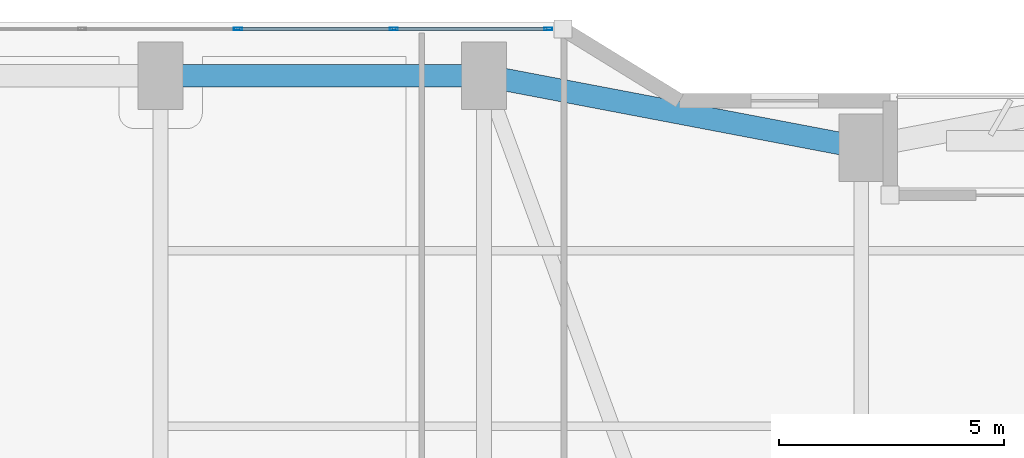
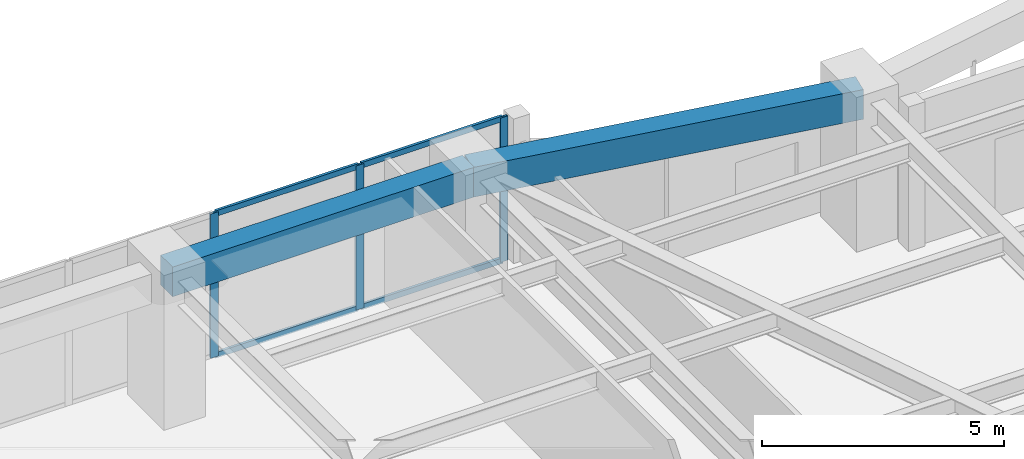
# One storey, part 14 of 24: 7 members, 2 beams, 1 element without a shape of its own.
"""IFC4 building model written with IfcOpenShell, lengths in metres."""

from ifc_helpers import new_model, si_unit, direction, frame, origin, origin_2d, place, context, subcontext, project, spatial, rectangle, hollow_rectangle, extrude, material, layer, layer_set, material_profile, profile_set, type_object, element, aggregate, save


model = new_model("IFC4")

# Units and contexts
model_context = context("Model", 3, precision=1e-05, world=origin(), true_north=direction((0.0, 1.0)))
body_context = subcontext(model_context, "Body", "Model", "MODEL_VIEW")
ifc_project = project(units=[si_unit("LENGTHUNIT", "METRE"), si_unit("AREAUNIT", "SQUARE_METRE"), si_unit("VOLUMEUNIT", "CUBIC_METRE"), si_unit("PLANEANGLEUNIT", "RADIAN"), si_unit("MASSUNIT", "GRAM", prefix="KILO")], contexts=[model_context])

# Site, building, storey
site_placement = place(None, origin())
site = spatial("IfcSite", under=ifc_project, at=site_placement, CompositionType="ELEMENT")
building_placement = place(site_placement, origin())
building = spatial("IfcBuilding", under=site, at=building_placement, Name="Kiyonajd Concourse Tower", CompositionType="ELEMENT")
storey_placement = place(building_placement, frame((0.0, 0.0, 89.699951171875)))
storey = spatial("IfcBuildingStorey", under=building, at=storey_placement, Name="L23", CompositionType="ELEMENT", Elevation=89.699951171875)

# Beams
ifc_material_1 = material(Name="Precast concrete C50/60", Category="concrete")
ifc_material_profile_1 = material_profile(ifc_material_1, rectangle(XDim=0.5, YDim=0.75, at=origin_2d()), Name="RCBM-500x750")
ifc_profile_set_1 = profile_set([ifc_material_profile_1], Name="Precast concrete C50/60")
beam_type = type_object("IfcBeamType", Name="BM-SPAN-RC", PredefinedType="SPANDREL", material=ifc_profile_set_1)
beam_1_placement = place(storey_placement, frame((48.0, 59.60009765625, 3.26513671875), z_axis=(-0.982341315253, 0.187097675953, 0.0), x_axis=(-0.187097675953, -0.982341315253, 0.0)))
element("IfcBeam", 1, at=beam_1_placement, inside=storey, type_object=beam_type, Name="L23 Perimeter Bundled Tube Spandrel", PredefinedType="SPANDREL", context=body_context, shape_type="SweptSolid", body=[
    extrude(rectangle(XDim=0.5, YDim=0.75, at=origin_2d()), origin(), (0.0, 0.0, 1.0), 8.55078125),
])
beam_2_placement = place(storey_placement, frame((39.60009765625, 61.199951171875, 3.26513671875), z_axis=(-1.0, 0.0, 0.0), x_axis=(0.0, -1.0, 0.0)))
element("IfcBeam", 2, at=beam_2_placement, inside=storey, type_object=beam_type, Name="L23 Perimeter Bundled Tube Spandrel", PredefinedType="SPANDREL", context=body_context, shape_type="SweptSolid", body=[
    extrude(rectangle(XDim=0.5, YDim=0.75, at=origin_2d()), origin(), (0.0, 0.0, 1.0), 7.2001953125),
])

# Curtain wall, members
ifc_material_2 = material(Name="Thermally Broken Anodised Aluminium", Category="aluminium")
ifc_layer = layer(ifc_material_2, 0.179931640625)
ifc_layer_set = layer_set([ifc_layer], Name="Thermally Broken Anodised Aluminium")
curtain_wall_type = type_object("IfcCurtainWallType", Name="CW-SYS-03", PredefinedType="NOTDEFINED", material=ifc_layer_set)
curtain_wall_placement = place(storey_placement, origin())
curtain_wall = element("IfcCurtainWall", 3, at=curtain_wall_placement, inside=storey, type_object=curtain_wall_type, Name="L23 Unitised Curtain Wall CW3", PredefinedType="NOTDEFINED")
ifc_material_profile_2 = material_profile(ifc_material_2, hollow_rectangle(XDim=0.06494140625, YDim=0.179931640625, WallThickness=0.00390625, at=origin_2d()), Name="MULL-65x180")
ifc_profile_set_2 = profile_set([ifc_material_profile_2], Name="Thermally Broken Anodised Aluminium")
member_type_1 = type_object("IfcMemberType", Name="MB-CW-MULL1", PredefinedType="MULLION", material=ifc_profile_set_2)
member_1_placement = place(storey_placement, frame((34.123291015625, 62.239990234375, 0.0), z_axis=(0.0, 0.0, 1.0), x_axis=(0.0, 1.0, 0.0)))
member_1 = element("IfcMember", 4, at=member_1_placement, type_object=member_type_1, Name="CW3 mullion 4", PredefinedType="MULLION", context=body_context, shape_type="SweptSolid", body=[
    extrude(hollow_rectangle(XDim=0.06494140625, YDim=0.179931640625, WallThickness=0.00390625, at=origin_2d()), origin(), (0.0, 0.0, 1.0), 3.64013671875),
])
member_2_placement = place(storey_placement, frame((37.593994140625, 62.239990234375, 0.0), z_axis=(0.0, 0.0, 1.0), x_axis=(0.0, 1.0, 0.0)))
member_2 = element("IfcMember", 5, at=member_2_placement, type_object=member_type_1, Name="CW3 mullion 5", PredefinedType="MULLION", context=body_context, shape_type="SweptSolid", body=[
    extrude(hollow_rectangle(XDim=0.06494140625, YDim=0.179931640625, WallThickness=0.00390625, at=origin_2d()), origin(), (0.0, 0.0, 1.0), 3.64013671875),
])
member_3_placement = place(storey_placement, frame((41.0322265625, 62.239990234375, 0.0), z_axis=(0.0, 0.0, 1.0), x_axis=(0.0, 1.0, 0.0)))
member_3 = element("IfcMember", 6, at=member_3_placement, type_object=member_type_1, Name="CW3 mullion 6", PredefinedType="MULLION", context=body_context, shape_type="SweptSolid", body=[
    extrude(hollow_rectangle(XDim=0.06494140625, YDim=0.179931640625, WallThickness=0.00390625, at=origin_2d()), origin(), (0.0, 0.0, 1.0), 3.64013671875),
])
ifc_material_profile_3 = material_profile(ifc_material_2, hollow_rectangle(XDim=0.06494140625, YDim=0.139892578125, WallThickness=0.00390625, at=origin_2d()), Name="TRAN-65x140")
ifc_profile_set_3 = profile_set([ifc_material_profile_3], Name="Thermally Broken Anodised Aluminium")
member_type_2 = type_object("IfcMemberType", Name="MB-CW-TRAN1", PredefinedType="USERDEFINED", material=ifc_profile_set_3)
member_4_placement = place(storey_placement, frame((34.15576171875, 62.239990234375, 0.032470703125), z_axis=(1.0, 0.0, 0.0), x_axis=(0.0, 1.0, 0.0)))
member_4 = element("IfcMember", 7, at=member_4_placement, type_object=member_type_2, Name="CW3 transom 4.1", ObjectType="TRANSOM", PredefinedType="USERDEFINED", context=body_context, shape_type="SweptSolid", body=[
    extrude(hollow_rectangle(XDim=0.06494140625, YDim=0.139892578125, WallThickness=0.00390625, at=origin_2d()), origin(), (0.0, 0.0, 1.0), 3.40576171875),
])
member_5_placement = place(storey_placement, frame((34.15576171875, 62.239990234375, 3.607666015625), z_axis=(1.0, 0.0, 0.0), x_axis=(0.0, 1.0, 0.0)))
member_5 = element("IfcMember", 8, at=member_5_placement, type_object=member_type_2, Name="CW3 transom 4.2", ObjectType="TRANSOM", PredefinedType="USERDEFINED", context=body_context, shape_type="SweptSolid", body=[
    extrude(hollow_rectangle(XDim=0.06494140625, YDim=0.139892578125, WallThickness=0.00390625, at=origin_2d()), origin(), (0.0, 0.0, 1.0), 3.40576171875),
])
member_6_placement = place(storey_placement, frame((37.62646484375, 62.239990234375, 0.032470703125), z_axis=(1.0, 0.0, 0.0), x_axis=(0.0, 1.0, 0.0)))
member_6 = element("IfcMember", 9, at=member_6_placement, type_object=member_type_2, Name="CW3 transom 5.1", ObjectType="TRANSOM", PredefinedType="USERDEFINED", context=body_context, shape_type="SweptSolid", body=[
    extrude(hollow_rectangle(XDim=0.06494140625, YDim=0.139892578125, WallThickness=0.00390625, at=origin_2d()), origin(), (0.0, 0.0, 1.0), 3.373291015625),
])
member_7_placement = place(storey_placement, frame((37.62646484375, 62.239990234375, 3.607666015625), z_axis=(1.0, 0.0, 0.0), x_axis=(0.0, 1.0, 0.0)))
member_7 = element("IfcMember", 10, at=member_7_placement, type_object=member_type_2, Name="CW3 transom 5.2", ObjectType="TRANSOM", PredefinedType="USERDEFINED", context=body_context, shape_type="SweptSolid", body=[
    extrude(hollow_rectangle(XDim=0.06494140625, YDim=0.139892578125, WallThickness=0.00390625, at=origin_2d()), origin(), (0.0, 0.0, 1.0), 3.373291015625),
])
aggregate(curtain_wall, [member_1, member_2, member_3, member_4, member_5, member_6, member_7])

save(model, "model.ifc")
